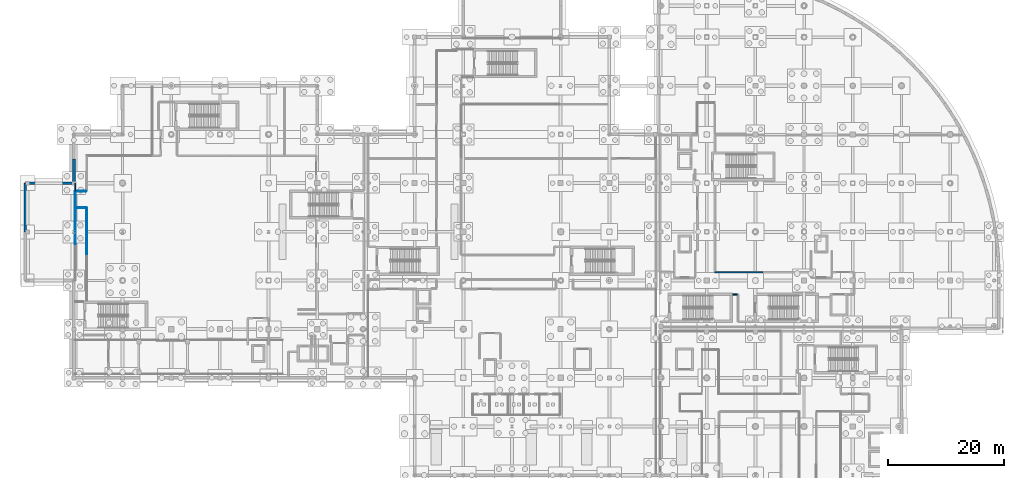
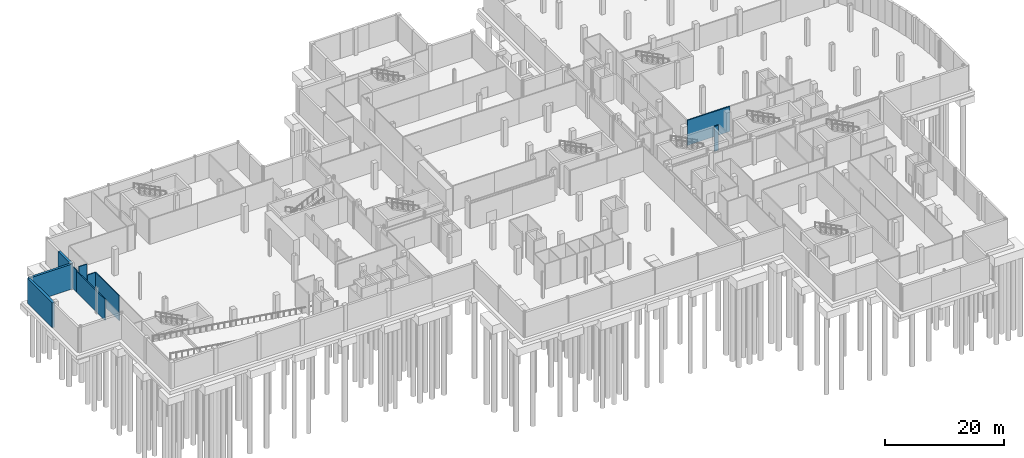
# One storey, part 30 of 49: 10 walls.
"""IFC4 building model written with IfcOpenShell, lengths in metres."""

from ifc_helpers import new_model, si_unit, direction, frame, frame_2d, origin, place, context, subcontext, project, spatial, rectangle, extrude, material, layer, layer_set, type_object, element, save


model = new_model("IFC4")

# Units and contexts
model_context = context("Model", 3, precision=1e-05, world=origin(), true_north=direction((0.0, 1.0)))
body_context = subcontext(model_context, "Body", "Model", "MODEL_VIEW")
ifc_project = project(units=[si_unit("LENGTHUNIT", "METRE"), si_unit("AREAUNIT", "SQUARE_METRE"), si_unit("VOLUMEUNIT", "CUBIC_METRE"), si_unit("PLANEANGLEUNIT", "RADIAN"), si_unit("MASSUNIT", "GRAM", prefix="KILO"), si_unit("THERMODYNAMICTEMPERATUREUNIT", "KELVIN")], contexts=[model_context])

# Site, building, storey
site_placement = place(None, origin())
site = spatial("IfcSite", under=ifc_project, at=site_placement, CompositionType="ELEMENT")
building_placement = place(site_placement, origin())
building = spatial("IfcBuilding", under=site, at=building_placement, Name="Lustrewick Department Store", CompositionType="ELEMENT")
storey_placement = place(building_placement, frame((0.0, 0.0, -5.39990234375)))
storey = spatial("IfcBuildingStorey", under=building, at=storey_placement, Name="B1", CompositionType="ELEMENT", Elevation=-5.39990234375)

# Walls
ifc_material_1 = material(Name="Autoclaved aerated concrete blockwork and fire board", Category="masonry")
ifc_layer_1 = layer(ifc_material_1, 0.219970703125, Name="Autoclaved aerated concrete blockwork and fire board")
ifc_layer_set_1 = layer_set([ifc_layer_1], Name="Autoclaved aerated concrete blockwork and fire board")
wall_type_1 = type_object("IfcWallType", Name="PW01", PredefinedType="PARTITIONING", material=ifc_layer_set_1)
wall_1_placement = place(storey_placement, frame((119.010009765625, 60.2099609375, 0.0), z_axis=(0.0, 0.0, 1.0), x_axis=(1.0, 0.0, 0.0)))
element("IfcWall", 1, at=wall_1_placement, inside=storey, type_object=wall_type_1, Name="B1 Central Merchandise Stockroom PW01", PredefinedType="PARTITIONING", context=body_context, shape_type="SweptSolid", body=[
    extrude(rectangle(XDim=8.2900390625, YDim=0.219970703125, at=frame_2d((4.14501953125, 0.0))), origin(), (0.0, 0.0, 1.0), 5.14501953125),
])
wall_2_placement = place(storey_placement, frame((122.885009765625, 56.389892578125, 0.0), z_axis=(0.0, 0.0, 1.0), x_axis=(-1.0, 0.0, 0.0)))
element("IfcWall", 2, at=wall_2_placement, inside=storey, type_object=wall_type_1, Name="B1 Central Merchandise Stockroom PW01", PredefinedType="PARTITIONING", context=body_context, shape_type="SweptSolid", body=[
    extrude(rectangle(XDim=0.8349609375, YDim=0.219970703125, at=frame_2d((0.41748046875, 0.0))), origin(), (0.0, 0.0, 1.0), 5.14501953125),
])
ifc_material_2 = material(Name="Double-stud gypsum fire board with mineral wool", Category="gypsum")
ifc_layer_2 = layer(ifc_material_2, 0.1650390625, Name="Double-stud gypsum fire board with mineral wool")
ifc_layer_set_2 = layer_set([ifc_layer_2], Name="Double-stud gypsum fire board with mineral wool")
wall_type_2 = type_object("IfcWallType", Name="PW04", PredefinedType="PARTITIONING", material=ifc_layer_set_2)
wall_3_placement = place(storey_placement, frame((9.0, 74.2099609375, 0.0), z_axis=(0.0, 0.0, 1.0), x_axis=(1.0, 0.0, 0.0)))
element("IfcWall", 3, at=wall_3_placement, inside=storey, type_object=wall_type_2, Name="B1 Bicycle Parking Room PW04", PredefinedType="PARTITIONING", context=body_context, shape_type="SweptSolid", body=[
    extrude(rectangle(XDim=1.512451171875, YDim=0.1650390625, at=frame_2d((0.75634765625, 0.0))), origin(), (0.0, 0.0, 1.0), 5.14501953125),
])
wall_4_placement = place(storey_placement, frame((8.610107421875, 75.60009765625, 0.0), z_axis=(0.0, 0.0, 1.0), x_axis=(0.0, -1.0, 0.0)))
element("IfcWall", 4, at=wall_4_placement, inside=storey, type_object=wall_type_2, Name="B1 Bicycle Parking Room PW04", PredefinedType="PARTITIONING", context=body_context, shape_type="SweptSolid", body=[
    extrude(rectangle(XDim=1.3701171875, YDim=0.1650390625, at=frame_2d((0.68505859375, 0.0))), origin(), (0.0, 0.0, 1.0), 4.52197265625),
])
wall_5_placement = place(storey_placement, frame((8.610107421875, 74.22998046875, 0.0), z_axis=(0.0, 0.0, 1.0), x_axis=(0.0, -1.0, 0.0)))
element("IfcWall", 5, at=wall_5_placement, inside=storey, type_object=wall_type_2, Name="B1 Bicycle Parking Room PW04", PredefinedType="PARTITIONING", context=body_context, shape_type="SweptSolid", body=[
    extrude(rectangle(XDim=9.56005859375, YDim=0.1650390625, at=frame_2d((4.780029296875, 0.0))), origin(), (0.0, 0.0, 1.0), 4.322021484375),
])
wall_6_placement = place(storey_placement, frame((10.590087890625, 63.344970703125, 0.0), z_axis=(0.0, 0.0, 1.0), x_axis=(0.0, 1.0, 0.0)))
element("IfcWall", 6, at=wall_6_placement, inside=storey, type_object=wall_type_2, Name="B1 Bicycle Parking Room PW04", PredefinedType="PARTITIONING", context=body_context, shape_type="SweptSolid", body=[
    extrude(rectangle(XDim=8.044921875, YDim=0.1650390625, at=frame_2d((4.0224609375, 0.0))), origin(), (0.0, 0.0, 1.0), 5.14501953125),
])
wall_7_placement = place(storey_placement, frame((10.512451171875, 71.389892578125, 0.0), z_axis=(0.0, 0.0, 1.0), x_axis=(-1.0, 0.0, 0.0)))
element("IfcWall", 7, at=wall_7_placement, inside=storey, type_object=wall_type_2, Name="B1 Bicycle Parking Room PW04", PredefinedType="PARTITIONING", context=body_context, shape_type="SweptSolid", body=[
    extrude(rectangle(XDim=1.512451171875, YDim=0.1650390625, at=frame_2d((0.75634765625, 0.0))), origin(), (0.0, 0.0, 1.0), 5.14501953125),
])
ifc_material_3 = material(Name="Concrete C40", Category="concrete")
ifc_layer_3 = layer(ifc_material_3, 0.419921875, Name="Concrete C40")
ifc_layer_set_3 = layer_set([ifc_layer_3], Name="Concrete C40")
wall_type_3 = type_object("IfcWallType", Name="RW01", PredefinedType="USERDEFINED", material=ifc_layer_set_3)
wall_8_placement = place(storey_placement, frame((0.0, 75.60009765625, 0.0), z_axis=(0.0, 0.0, 1.0), x_axis=(1.0, 0.0, 0.0)))
element("IfcWall", 8, at=wall_8_placement, inside=storey, type_object=wall_type_3, Name="B1 Retaining Wall RW01 0023", ObjectType="RETAININGWALL", PredefinedType="USERDEFINED", context=body_context, shape_type="SweptSolid", body=[
    extrude(rectangle(XDim=8.39990234375, YDim=0.419921875, at=frame_2d((4.199951171875, 0.0))), origin(), (0.0, 0.0, 1.0), 5.1298828125),
])
ifc_layer_4 = layer(ifc_material_3, 0.47998046875, Name="Concrete C40")
ifc_layer_set_4 = layer_set([ifc_layer_4], Name="Concrete C40")
wall_type_4 = type_object("IfcWallType", Name="RW02", PredefinedType="USERDEFINED", material=ifc_layer_set_4)
wall_9_placement = place(storey_placement, frame((0.0, 67.199951171875, 0.0), z_axis=(0.0, 0.0, 1.0), x_axis=(0.0, 1.0, 0.0)))
element("IfcWall", 9, at=wall_9_placement, inside=storey, type_object=wall_type_4, Name="B1 Retaining Wall RW02 0022", ObjectType="RETAININGWALL", PredefinedType="USERDEFINED", context=body_context, shape_type="SweptSolid", body=[
    extrude(rectangle(XDim=8.400146484375, YDim=0.47998046875, at=frame_2d((4.2001953125, 0.0))), origin(), (0.0, 0.0, 1.0), 5.1298828125),
])
wall_10_placement = place(storey_placement, frame((8.39990234375, 75.60009765625, 0.0), z_axis=(0.0, 0.0, 1.0), x_axis=(0.0, 1.0, 0.0)))
element("IfcWall", 10, at=wall_10_placement, inside=storey, type_object=wall_type_4, Name="B1 Retaining Wall RW02 0024", ObjectType="RETAININGWALL", PredefinedType="USERDEFINED", context=body_context, shape_type="SweptSolid", body=[
    extrude(rectangle(XDim=4.199951171875, YDim=0.47998046875, at=frame_2d((2.10009765625, 0.0))), origin(), (0.0, 0.0, 1.0), 5.1298828125),
])

save(model, "model.ifc")
